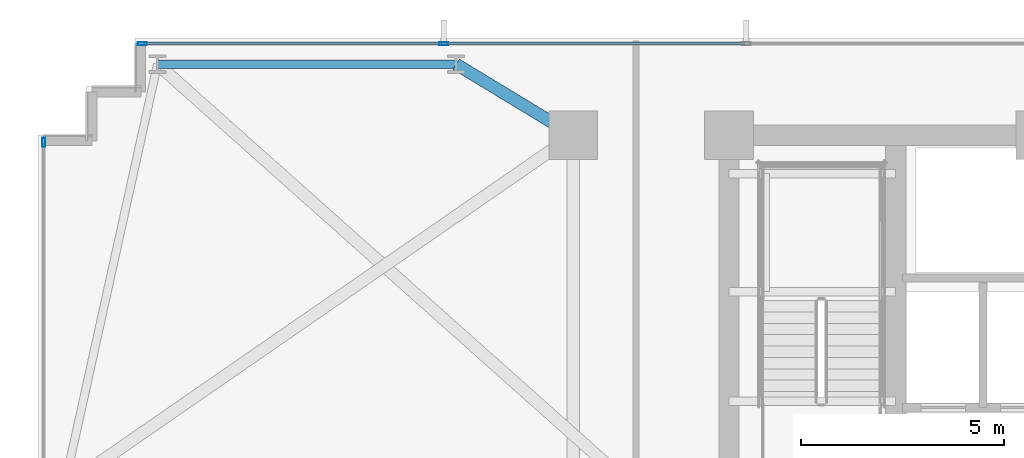
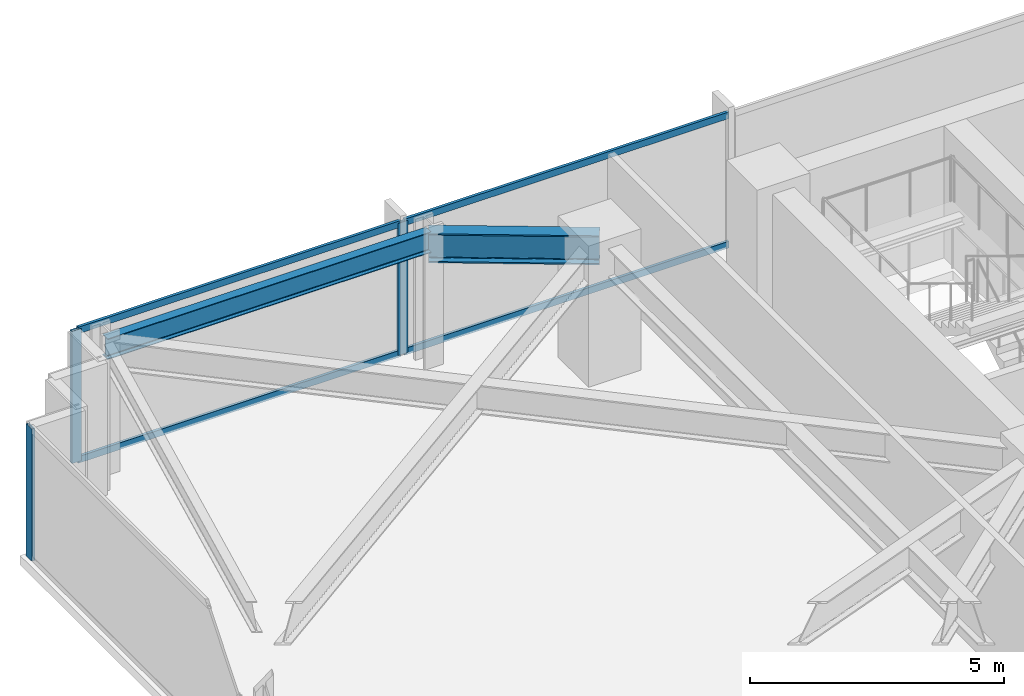
# One storey, part 17 of 32: 7 members, 2 beams, 2 elements without a shape of their own.
"""IFC4 building model written with IfcOpenShell, lengths in metres."""

from ifc_helpers import new_model, si_unit, direction, frame, origin, origin_2d, place, context, subcontext, project, spatial, hollow_rectangle, i_section, extrude, material, material_profile, profile_set, type_object, element, aggregate, save


model = new_model("IFC4")

# Units and contexts
model_context = context("Model", 3, precision=1e-05, world=origin(), true_north=direction((0.0, 1.0)))
body_context = subcontext(model_context, "Body", "Model", "MODEL_VIEW")
ifc_project = project(units=[si_unit("LENGTHUNIT", "METRE"), si_unit("AREAUNIT", "SQUARE_METRE"), si_unit("VOLUMEUNIT", "CUBIC_METRE"), si_unit("PLANEANGLEUNIT", "RADIAN"), si_unit("MASSUNIT", "GRAM", prefix="KILO")], contexts=[model_context])

# Site, building, storey
site_placement = place(None, origin())
site = spatial("IfcSite", under=ifc_project, at=site_placement, CompositionType="ELEMENT")
building_placement = place(site_placement, origin())
building = spatial("IfcBuilding", under=site, at=building_placement, Name="Yelkora Congress Tower", CompositionType="ELEMENT")
storey_placement = place(building_placement, frame((0.0, 0.0, 57.60009765625)))
storey = spatial("IfcBuildingStorey", under=building, at=storey_placement, Name="L14", CompositionType="ELEMENT", Elevation=57.60009765625)

# Beams
ifc_material_1 = material(Name="Steel S355J2", Category="steel")
ifc_material_profile_1 = material_profile(ifc_material_1, i_section(OverallWidth=0.300048828125, OverallDepth=0.699951171875, WebThickness=0.01708984375, FlangeThickness=0.031982421875, FilletRadius=0.027099609375, at=origin_2d()), Name="HEB 700")
ifc_profile_set_1 = profile_set([ifc_material_profile_1], Name="Steel S355J2")
beam_type_1 = type_object("IfcBeamType", Name="BM-GIRD-HEB700", PredefinedType="BEAM", material=ifc_profile_set_1)
beam_1_placement = place(storey_placement, frame((16.3125, 47.949951171875, 2.829833984375), z_axis=(0.855193946581, -0.518308126244, 0.0), x_axis=(0.518308126244, 0.855193946581, 0.0)))
element("IfcBeam", 1, at=beam_1_placement, inside=storey, type_object=beam_type_1, Name="L14 Primary Frame Girder N02", PredefinedType="BEAM", context=body_context, shape_type="SweptSolid", body=[
    extrude(i_section(OverallWidth=0.300048828125, OverallDepth=0.699951171875, WebThickness=0.01708984375, FlangeThickness=0.031982421875, FilletRadius=0.027099609375, at=origin_2d()), origin(), (0.0, 0.0, 1.0), 3.37646484375),
])
ifc_material_profile_2 = material_profile(ifc_material_1, i_section(OverallWidth=0.199951171875, OverallDepth=0.5, WebThickness=0.01025390625, FlangeThickness=0.01611328125, FilletRadius=0.02099609375, at=origin_2d()), Name="IPE 500")
ifc_profile_set_2 = profile_set([ifc_material_profile_2], Name="Steel S355J2")
beam_type_2 = type_object("IfcBeamType", Name="BM-SPAN-IPE500", PredefinedType="SPANDREL", material=ifc_profile_set_2)
beam_2_placement = place(storey_placement, frame((16.3125, 47.949951171875, 2.929931640625), z_axis=(-1.0, 0.0, 0.0), x_axis=(0.0, -1.0, 0.0)))
element("IfcBeam", 2, at=beam_2_placement, inside=storey, type_object=beam_type_2, Name="L14 Perimeter Beam 16", PredefinedType="SPANDREL", context=body_context, shape_type="SweptSolid", body=[
    extrude(i_section(OverallWidth=0.199951171875, OverallDepth=0.5, WebThickness=0.01025390625, FlangeThickness=0.01611328125, FilletRadius=0.02099609375, at=origin_2d()), origin(), (0.0, 0.0, 1.0), 7.362548828125),
])

# Curtain wall, member
ifc_material_2 = material(Name="Anodised aluminium and insulated glass", Category="aluminium")
curtain_wall_type = type_object("IfcCurtainWallType", Name="CW-SYS-B1", PredefinedType="NOTDEFINED", material=ifc_material_2)
curtain_wall_1_placement = place(storey_placement, origin())
curtain_wall_1 = element("IfcCurtainWall", 3, at=curtain_wall_1_placement, inside=storey, type_object=curtain_wall_type, Name="L14 Unitised Curtain Wall 5", PredefinedType="NOTDEFINED")
ifc_material_3 = material(Name="Anodised aluminium 6063-T6", Category="aluminium")
ifc_material_profile_3 = material_profile(ifc_material_3, hollow_rectangle(XDim=0.074951171875, YDim=0.219970703125, WallThickness=0.0048828125, at=origin_2d()), Name="ALU 75x220x5")
ifc_profile_set_3 = profile_set([ifc_material_profile_3], Name="Anodised aluminium 6063-T6")
member_type_1 = type_object("IfcMemberType", Name="MEM-ML-B1", PredefinedType="MULLION", material=ifc_profile_set_3)
member_1_placement = place(storey_placement, frame((6.139892578125, 46.0224609375, 0.0), z_axis=(0.0, 0.0, 1.0), x_axis=(-1.0, 0.0, 0.0)))
member_1 = element("IfcMember", 4, at=member_1_placement, type_object=member_type_1, Name="CW-B1 mullion 5", PredefinedType="MULLION", context=body_context, shape_type="SweptSolid", body=[
    extrude(hollow_rectangle(XDim=0.074951171875, YDim=0.219970703125, WallThickness=0.0048828125, at=origin_2d()), origin(), (0.0, 0.0, 1.0), 3.179931640625),
])
aggregate(curtain_wall_1, [member_1])

# Curtain wall, members
curtain_wall_2_placement = place(storey_placement, origin())
curtain_wall_2 = element("IfcCurtainWall", 5, at=curtain_wall_2_placement, inside=storey, type_object=curtain_wall_type, Name="L14 Unitised Curtain Wall 10", PredefinedType="NOTDEFINED")
member_2_placement = place(storey_placement, frame((8.577392578125, 48.4599609375, 0.0), z_axis=(0.0, 0.0, 1.0), x_axis=(0.0, 1.0, 0.0)))
member_2 = element("IfcMember", 6, at=member_2_placement, type_object=member_type_1, Name="CW-B1 mullion 1", PredefinedType="MULLION", context=body_context, shape_type="SweptSolid", body=[
    extrude(hollow_rectangle(XDim=0.074951171875, YDim=0.219970703125, WallThickness=0.0048828125, at=origin_2d()), origin(), (0.0, 0.0, 1.0), 3.179931640625),
])
member_3_placement = place(storey_placement, frame((16.0048828125, 48.4599609375, 0.0), z_axis=(0.0, 0.0, 1.0), x_axis=(0.0, 1.0, 0.0)))
member_3 = element("IfcMember", 7, at=member_3_placement, type_object=member_type_1, Name="CW-B1 mullion 2", PredefinedType="MULLION", context=body_context, shape_type="SweptSolid", body=[
    extrude(hollow_rectangle(XDim=0.074951171875, YDim=0.219970703125, WallThickness=0.0048828125, at=origin_2d()), origin(), (0.0, 0.0, 1.0), 3.179931640625),
])
ifc_material_profile_4 = material_profile(ifc_material_3, hollow_rectangle(XDim=0.06494140625, YDim=0.159912109375, WallThickness=0.00390625, at=origin_2d()), Name="ALU 65x160x4")
ifc_profile_set_4 = profile_set([ifc_material_profile_4], Name="Anodised aluminium 6063-T6")
member_type_2 = type_object("IfcMemberType", Name="MEM-TR-B1", PredefinedType="USERDEFINED", material=ifc_profile_set_4)
member_4_placement = place(storey_placement, frame((8.614990234375, 48.4599609375, 0.032470703125), z_axis=(1.0, 0.0, 0.0), x_axis=(0.0, 1.0, 0.0)))
member_4 = element("IfcMember", 8, at=member_4_placement, type_object=member_type_2, Name="CW-B1 transom 1.1", ObjectType="TRANSOM", PredefinedType="USERDEFINED", context=body_context, shape_type="SweptSolid", body=[
    extrude(hollow_rectangle(XDim=0.06494140625, YDim=0.159912109375, WallThickness=0.00390625, at=origin_2d()), origin(), (0.0, 0.0, 1.0), 7.3525390625),
])
member_5_placement = place(storey_placement, frame((8.614990234375, 48.4599609375, 3.1474609375), z_axis=(1.0, 0.0, 0.0), x_axis=(0.0, 1.0, 0.0)))
member_5 = element("IfcMember", 9, at=member_5_placement, type_object=member_type_2, Name="CW-B1 transom 1.2", ObjectType="TRANSOM", PredefinedType="USERDEFINED", context=body_context, shape_type="SweptSolid", body=[
    extrude(hollow_rectangle(XDim=0.06494140625, YDim=0.159912109375, WallThickness=0.00390625, at=origin_2d()), origin(), (0.0, 0.0, 1.0), 7.3525390625),
])
member_6_placement = place(storey_placement, frame((16.04248046875, 48.4599609375, 0.032470703125), z_axis=(1.0, 0.0, 0.0), x_axis=(0.0, 1.0, 0.0)))
member_6 = element("IfcMember", 10, at=member_6_placement, type_object=member_type_2, Name="CW-B1 transom 2.1", ObjectType="TRANSOM", PredefinedType="USERDEFINED", context=body_context, shape_type="SweptSolid", body=[
    extrude(hollow_rectangle(XDim=0.06494140625, YDim=0.159912109375, WallThickness=0.00390625, at=origin_2d()), origin(), (0.0, 0.0, 1.0), 7.39013671875),
])
member_7_placement = place(storey_placement, frame((16.04248046875, 48.4599609375, 3.1474609375), z_axis=(1.0, 0.0, 0.0), x_axis=(0.0, 1.0, 0.0)))
member_7 = element("IfcMember", 11, at=member_7_placement, type_object=member_type_2, Name="CW-B1 transom 2.2", ObjectType="TRANSOM", PredefinedType="USERDEFINED", context=body_context, shape_type="SweptSolid", body=[
    extrude(hollow_rectangle(XDim=0.06494140625, YDim=0.159912109375, WallThickness=0.00390625, at=origin_2d()), origin(), (0.0, 0.0, 1.0), 7.39013671875),
])
aggregate(curtain_wall_2, [member_2, member_3, member_4, member_5, member_6, member_7])

save(model, "model.ifc")
